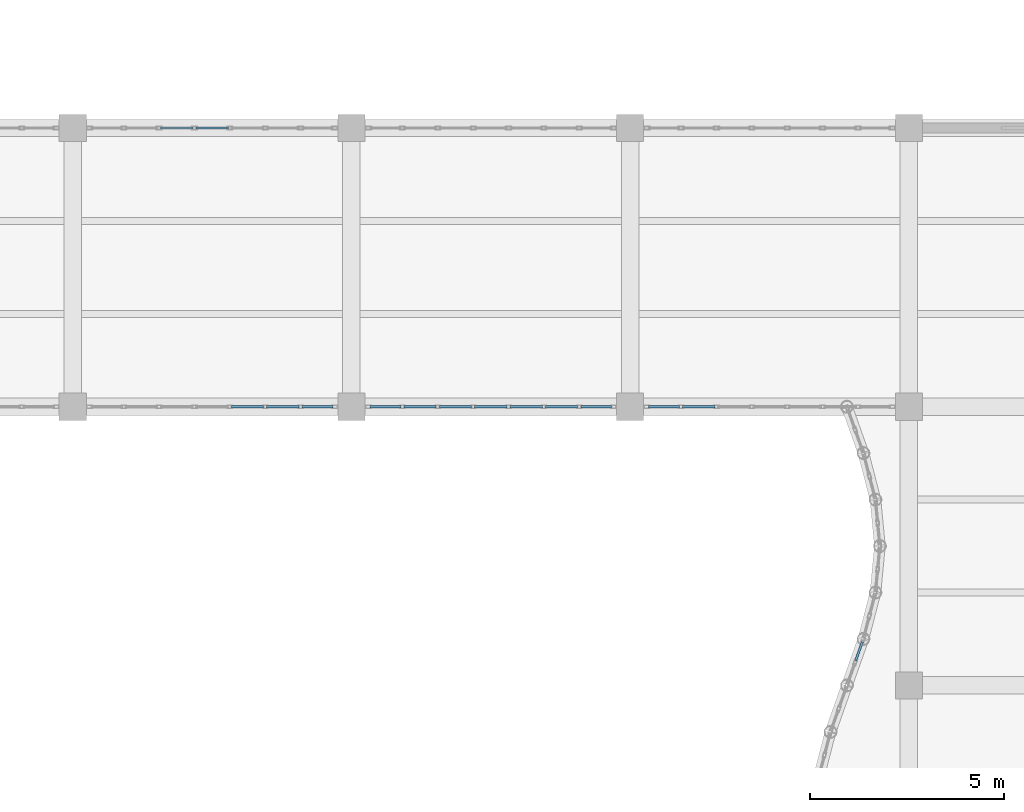
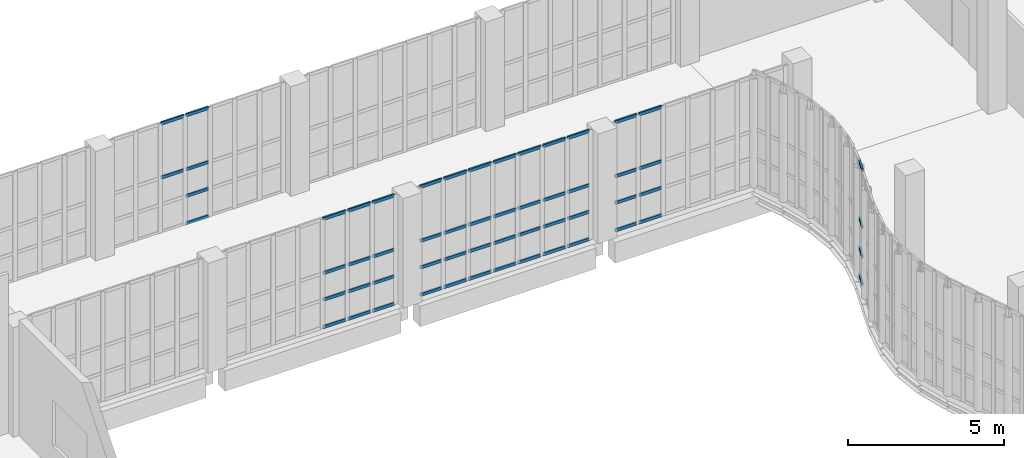
# One storey, part 55 of 108: 58 members, 5 elements without a shape of their own.
"""IFC4 building model written with IfcOpenShell, lengths in metres."""

from ifc_helpers import new_model, si_unit, direction, frame, origin, origin_2d, place, context, subcontext, project, spatial, hollow_rectangle, extrude, material, layer, layer_set, material_profile, profile_set, type_object, element, aggregate, save


model = new_model("IFC4")

# Units and contexts
model_context = context("Model", 3, precision=1e-05, world=origin(), true_north=direction((0.0, 1.0)))
body_context = subcontext(model_context, "Body", "Model", "MODEL_VIEW")
ifc_project = project(units=[si_unit("LENGTHUNIT", "METRE"), si_unit("AREAUNIT", "SQUARE_METRE"), si_unit("VOLUMEUNIT", "CUBIC_METRE"), si_unit("PLANEANGLEUNIT", "RADIAN"), si_unit("MASSUNIT", "GRAM", prefix="KILO"), si_unit("THERMODYNAMICTEMPERATUREUNIT", "KELVIN"), si_unit("POWERUNIT", "WATT")], contexts=[model_context])

# Site, building, storey
site_placement = place(None, origin())
site = spatial("IfcSite", under=ifc_project, at=site_placement, CompositionType="ELEMENT")
building_placement = place(site_placement, origin())
building = spatial("IfcBuilding", under=site, at=building_placement, Name="Kaldorven Railside Theatre", CompositionType="ELEMENT")
storey_placement = place(building_placement, frame((0.0, 0.0, 5.39990234375)))
storey = spatial("IfcBuildingStorey", under=building, at=storey_placement, Name="L01", CompositionType="ELEMENT", Elevation=5.39990234375)

# Curtain wall, members
ifc_material_1 = material(Name="Low-E laminated solar-control glass", Category="glass")
ifc_layer_1 = layer(ifc_material_1, 0.159912109375, Name="Low-E laminated solar-control glass")
ifc_layer_set_1 = layer_set([ifc_layer_1], Name="Low-E laminated solar-control glass")
curtain_wall_type_1 = type_object("IfcCurtainWallType", Name="CWT-01", PredefinedType="USERDEFINED", material=ifc_layer_set_1)
curtain_wall_1_placement = place(storey_placement, origin())
curtain_wall_1 = element("IfcCurtainWall", 1, at=curtain_wall_1_placement, inside=storey, type_object=curtain_wall_type_1, Name="Sinusoidal Fluted Curtain Wall CW-L01-W19", ObjectType="FLUTED GLAZING", PredefinedType="USERDEFINED")
ifc_material_2 = material(Name="Anodised bronze aluminium", Category="aluminium")
ifc_material_profile = material_profile(ifc_material_2, hollow_rectangle(XDim=0.06005859375, YDim=0.1201171875, WallThickness=0.0048828125, at=origin_2d()), Name="RHS 120x60x5")
ifc_profile_set = profile_set([ifc_material_profile], Name="Anodised bronze aluminium")
member_type = type_object("IfcMemberType", Name="CWT-120", PredefinedType="USERDEFINED", material=ifc_profile_set)
member_1_placement = place(storey_placement, frame((71.42578125, 63.03759765625, 0.030029296875), z_axis=(0.334030800363, 0.94256215944, 0.0), x_axis=(-0.94256215944, 0.334030800363, 0.0)))
member_1 = element("IfcMember", 2, at=member_1_placement, type_object=member_type, Name="CW-L01-W19 transom 2.1", ObjectType="TRANSOM", PredefinedType="USERDEFINED", context=body_context, shape_type="SweptSolid", body=[
    extrude(hollow_rectangle(XDim=0.06005859375, YDim=0.1201171875, WallThickness=0.0048828125, at=origin_2d()), origin(), (0.0, 0.0, 1.0), 0.516845703125),
])
member_2_placement = place(storey_placement, frame((71.42578125, 63.03759765625, 1.10009765625), z_axis=(0.334030800363, 0.94256215944, 0.0), x_axis=(-0.94256215944, 0.334030800363, 0.0)))
member_2 = element("IfcMember", 3, at=member_2_placement, type_object=member_type, Name="CW-L01-W19 transom 2.2", ObjectType="TRANSOM", PredefinedType="USERDEFINED", context=body_context, shape_type="SweptSolid", body=[
    extrude(hollow_rectangle(XDim=0.06005859375, YDim=0.1201171875, WallThickness=0.0048828125, at=origin_2d()), origin(), (0.0, 0.0, 1.0), 0.516845703125),
])
member_3_placement = place(storey_placement, frame((71.42578125, 63.03759765625, 2.25), z_axis=(0.334030800363, 0.94256215944, 0.0), x_axis=(-0.94256215944, 0.334030800363, 0.0)))
member_3 = element("IfcMember", 4, at=member_3_placement, type_object=member_type, Name="CW-L01-W19 transom 2.3", ObjectType="TRANSOM", PredefinedType="USERDEFINED", context=body_context, shape_type="SweptSolid", body=[
    extrude(hollow_rectangle(XDim=0.06005859375, YDim=0.1201171875, WallThickness=0.0048828125, at=origin_2d()), origin(), (0.0, 0.0, 1.0), 0.516845703125),
])
member_4_placement = place(storey_placement, frame((71.42578125, 63.03759765625, 4.47021484375), z_axis=(0.334030800363, 0.94256215944, 0.0), x_axis=(-0.94256215944, 0.334030800363, 0.0)))
member_4 = element("IfcMember", 5, at=member_4_placement, type_object=member_type, Name="CW-L01-W19 transom 2.4", ObjectType="TRANSOM", PredefinedType="USERDEFINED", context=body_context, shape_type="SweptSolid", body=[
    extrude(hollow_rectangle(XDim=0.06005859375, YDim=0.1201171875, WallThickness=0.0048828125, at=origin_2d()), origin(), (0.0, 0.0, 1.0), 0.516845703125),
])
aggregate(curtain_wall_1, [member_1, member_2, member_3, member_4])

ifc_layer_2 = layer(ifc_material_1, 0.159912109375, Name="Low-E laminated solar-control glass")
ifc_layer_set_2 = layer_set([ifc_layer_2], Name="Low-E laminated solar-control glass")
curtain_wall_type_2 = type_object("IfcCurtainWallType", Name="CWT-25", PredefinedType="USERDEFINED", material=ifc_layer_set_2)
curtain_wall_2_placement = place(storey_placement, origin())
curtain_wall_2 = element("IfcCurtainWall", 6, at=curtain_wall_2_placement, inside=storey, type_object=curtain_wall_type_2, Name="Sinusoidal Fluted Curtain Wall CW-L01-BS02", ObjectType="FLUTED GLAZING", PredefinedType="USERDEFINED")
member_5_placement = place(storey_placement, frame((55.297119140625, 69.60009765625, 0.030029296875), z_axis=(1.0, 0.0, 0.0), x_axis=(0.0, 1.0, 0.0)))
member_5 = element("IfcMember", 7, at=member_5_placement, type_object=member_type, Name="CW-L01-BS02 transom 5.1", ObjectType="TRANSOM", PredefinedType="USERDEFINED", context=body_context, shape_type="SweptSolid", body=[
    extrude(hollow_rectangle(XDim=0.06005859375, YDim=0.1201171875, WallThickness=0.0048828125, at=origin_2d()), origin(), (0.0, 0.0, 1.0), 0.834228515625),
])
member_6_placement = place(storey_placement, frame((55.297119140625, 69.60009765625, 1.10009765625), z_axis=(1.0, 0.0, 0.0), x_axis=(0.0, 1.0, 0.0)))
member_6 = element("IfcMember", 8, at=member_6_placement, type_object=member_type, Name="CW-L01-BS02 transom 5.2", ObjectType="TRANSOM", PredefinedType="USERDEFINED", context=body_context, shape_type="SweptSolid", body=[
    extrude(hollow_rectangle(XDim=0.06005859375, YDim=0.1201171875, WallThickness=0.0048828125, at=origin_2d()), origin(), (0.0, 0.0, 1.0), 0.834228515625),
])
member_7_placement = place(storey_placement, frame((55.297119140625, 69.60009765625, 2.14013671875), z_axis=(1.0, 0.0, 0.0), x_axis=(0.0, 1.0, 0.0)))
member_7 = element("IfcMember", 9, at=member_7_placement, type_object=member_type, Name="CW-L01-BS02 transom 5.3", ObjectType="TRANSOM", PredefinedType="USERDEFINED", context=body_context, shape_type="SweptSolid", body=[
    extrude(hollow_rectangle(XDim=0.06005859375, YDim=0.1201171875, WallThickness=0.0048828125, at=origin_2d()), origin(), (0.0, 0.0, 1.0), 0.834228515625),
])
member_8_placement = place(storey_placement, frame((55.297119140625, 69.60009765625, 4.25), z_axis=(1.0, 0.0, 0.0), x_axis=(0.0, 1.0, 0.0)))
member_8 = element("IfcMember", 10, at=member_8_placement, type_object=member_type, Name="CW-L01-BS02 transom 5.4", ObjectType="TRANSOM", PredefinedType="USERDEFINED", context=body_context, shape_type="SweptSolid", body=[
    extrude(hollow_rectangle(XDim=0.06005859375, YDim=0.1201171875, WallThickness=0.0048828125, at=origin_2d()), origin(), (0.0, 0.0, 1.0), 0.834228515625),
])
member_9_placement = place(storey_placement, frame((56.21142578125, 69.60009765625, 0.030029296875), z_axis=(1.0, 0.0, 0.0), x_axis=(0.0, 1.0, 0.0)))
member_9 = element("IfcMember", 11, at=member_9_placement, type_object=member_type, Name="CW-L01-BS02 transom 6.1", ObjectType="TRANSOM", PredefinedType="USERDEFINED", context=body_context, shape_type="SweptSolid", body=[
    extrude(hollow_rectangle(XDim=0.06005859375, YDim=0.1201171875, WallThickness=0.0048828125, at=origin_2d()), origin(), (0.0, 0.0, 1.0), 0.834228515625),
])
member_10_placement = place(storey_placement, frame((56.21142578125, 69.60009765625, 1.10009765625), z_axis=(1.0, 0.0, 0.0), x_axis=(0.0, 1.0, 0.0)))
member_10 = element("IfcMember", 12, at=member_10_placement, type_object=member_type, Name="CW-L01-BS02 transom 6.2", ObjectType="TRANSOM", PredefinedType="USERDEFINED", context=body_context, shape_type="SweptSolid", body=[
    extrude(hollow_rectangle(XDim=0.06005859375, YDim=0.1201171875, WallThickness=0.0048828125, at=origin_2d()), origin(), (0.0, 0.0, 1.0), 0.834228515625),
])
member_11_placement = place(storey_placement, frame((56.21142578125, 69.60009765625, 2.14013671875), z_axis=(1.0, 0.0, 0.0), x_axis=(0.0, 1.0, 0.0)))
member_11 = element("IfcMember", 13, at=member_11_placement, type_object=member_type, Name="CW-L01-BS02 transom 6.3", ObjectType="TRANSOM", PredefinedType="USERDEFINED", context=body_context, shape_type="SweptSolid", body=[
    extrude(hollow_rectangle(XDim=0.06005859375, YDim=0.1201171875, WallThickness=0.0048828125, at=origin_2d()), origin(), (0.0, 0.0, 1.0), 0.834228515625),
])
member_12_placement = place(storey_placement, frame((56.21142578125, 69.60009765625, 4.25), z_axis=(1.0, 0.0, 0.0), x_axis=(0.0, 1.0, 0.0)))
member_12 = element("IfcMember", 14, at=member_12_placement, type_object=member_type, Name="CW-L01-BS02 transom 6.4", ObjectType="TRANSOM", PredefinedType="USERDEFINED", context=body_context, shape_type="SweptSolid", body=[
    extrude(hollow_rectangle(XDim=0.06005859375, YDim=0.1201171875, WallThickness=0.0048828125, at=origin_2d()), origin(), (0.0, 0.0, 1.0), 0.834228515625),
])
member_13_placement = place(storey_placement, frame((57.125732421875, 69.60009765625, 0.030029296875), z_axis=(1.0, 0.0, 0.0), x_axis=(0.0, 1.0, 0.0)))
member_13 = element("IfcMember", 15, at=member_13_placement, type_object=member_type, Name="CW-L01-BS02 transom 7.1", ObjectType="TRANSOM", PredefinedType="USERDEFINED", context=body_context, shape_type="SweptSolid", body=[
    extrude(hollow_rectangle(XDim=0.06005859375, YDim=0.1201171875, WallThickness=0.0048828125, at=origin_2d()), origin(), (0.0, 0.0, 1.0), 0.794189453125),
])
member_14_placement = place(storey_placement, frame((57.125732421875, 69.60009765625, 1.10009765625), z_axis=(1.0, 0.0, 0.0), x_axis=(0.0, 1.0, 0.0)))
member_14 = element("IfcMember", 16, at=member_14_placement, type_object=member_type, Name="CW-L01-BS02 transom 7.2", ObjectType="TRANSOM", PredefinedType="USERDEFINED", context=body_context, shape_type="SweptSolid", body=[
    extrude(hollow_rectangle(XDim=0.06005859375, YDim=0.1201171875, WallThickness=0.0048828125, at=origin_2d()), origin(), (0.0, 0.0, 1.0), 0.794189453125),
])
member_15_placement = place(storey_placement, frame((57.125732421875, 69.60009765625, 2.14013671875), z_axis=(1.0, 0.0, 0.0), x_axis=(0.0, 1.0, 0.0)))
member_15 = element("IfcMember", 17, at=member_15_placement, type_object=member_type, Name="CW-L01-BS02 transom 7.3", ObjectType="TRANSOM", PredefinedType="USERDEFINED", context=body_context, shape_type="SweptSolid", body=[
    extrude(hollow_rectangle(XDim=0.06005859375, YDim=0.1201171875, WallThickness=0.0048828125, at=origin_2d()), origin(), (0.0, 0.0, 1.0), 0.794189453125),
])
member_16_placement = place(storey_placement, frame((57.125732421875, 69.60009765625, 4.25), z_axis=(1.0, 0.0, 0.0), x_axis=(0.0, 1.0, 0.0)))
member_16 = element("IfcMember", 18, at=member_16_placement, type_object=member_type, Name="CW-L01-BS02 transom 7.4", ObjectType="TRANSOM", PredefinedType="USERDEFINED", context=body_context, shape_type="SweptSolid", body=[
    extrude(hollow_rectangle(XDim=0.06005859375, YDim=0.1201171875, WallThickness=0.0048828125, at=origin_2d()), origin(), (0.0, 0.0, 1.0), 0.794189453125),
])
aggregate(curtain_wall_2, [member_5, member_6, member_7, member_8, member_9, member_10, member_11, member_12, member_13, member_14, member_15, member_16])

curtain_wall_3_placement = place(storey_placement, origin())
curtain_wall_3 = element("IfcCurtainWall", 19, at=curtain_wall_3_placement, inside=storey, type_object=curtain_wall_type_2, Name="Sinusoidal Fluted Curtain Wall CW-L01-BN02", ObjectType="FLUTED GLAZING", PredefinedType="USERDEFINED")
member_17_placement = place(storey_placement, frame((53.468505859375, 76.800048828125, 2.14013671875), z_axis=(1.0, 0.0, 0.0), x_axis=(0.0, 1.0, 0.0)))
member_17 = element("IfcMember", 20, at=member_17_placement, type_object=member_type, Name="CW-L01-BN02 transom 3.3", ObjectType="TRANSOM", PredefinedType="USERDEFINED", context=body_context, shape_type="SweptSolid", body=[
    extrude(hollow_rectangle(XDim=0.06005859375, YDim=0.1201171875, WallThickness=0.0048828125, at=origin_2d()), origin(), (0.0, 0.0, 1.0), 0.83447265625),
])
member_18_placement = place(storey_placement, frame((53.468505859375, 76.800048828125, 4.25), z_axis=(1.0, 0.0, 0.0), x_axis=(0.0, 1.0, 0.0)))
member_18 = element("IfcMember", 21, at=member_18_placement, type_object=member_type, Name="CW-L01-BN02 transom 3.4", ObjectType="TRANSOM", PredefinedType="USERDEFINED", context=body_context, shape_type="SweptSolid", body=[
    extrude(hollow_rectangle(XDim=0.06005859375, YDim=0.1201171875, WallThickness=0.0048828125, at=origin_2d()), origin(), (0.0, 0.0, 1.0), 0.83447265625),
])
member_19_placement = place(storey_placement, frame((54.3828125, 76.800048828125, 0.030029296875), z_axis=(1.0, 0.0, 0.0), x_axis=(0.0, 1.0, 0.0)))
member_19 = element("IfcMember", 22, at=member_19_placement, type_object=member_type, Name="CW-L01-BN02 transom 4.1", ObjectType="TRANSOM", PredefinedType="USERDEFINED", context=body_context, shape_type="SweptSolid", body=[
    extrude(hollow_rectangle(XDim=0.06005859375, YDim=0.1201171875, WallThickness=0.0048828125, at=origin_2d()), origin(), (0.0, 0.0, 1.0), 0.834228515625),
])
member_20_placement = place(storey_placement, frame((54.3828125, 76.800048828125, 1.10009765625), z_axis=(1.0, 0.0, 0.0), x_axis=(0.0, 1.0, 0.0)))
member_20 = element("IfcMember", 23, at=member_20_placement, type_object=member_type, Name="CW-L01-BN02 transom 4.2", ObjectType="TRANSOM", PredefinedType="USERDEFINED", context=body_context, shape_type="SweptSolid", body=[
    extrude(hollow_rectangle(XDim=0.06005859375, YDim=0.1201171875, WallThickness=0.0048828125, at=origin_2d()), origin(), (0.0, 0.0, 1.0), 0.834228515625),
])
member_21_placement = place(storey_placement, frame((54.3828125, 76.800048828125, 2.14013671875), z_axis=(1.0, 0.0, 0.0), x_axis=(0.0, 1.0, 0.0)))
member_21 = element("IfcMember", 24, at=member_21_placement, type_object=member_type, Name="CW-L01-BN02 transom 4.3", ObjectType="TRANSOM", PredefinedType="USERDEFINED", context=body_context, shape_type="SweptSolid", body=[
    extrude(hollow_rectangle(XDim=0.06005859375, YDim=0.1201171875, WallThickness=0.0048828125, at=origin_2d()), origin(), (0.0, 0.0, 1.0), 0.834228515625),
])
member_22_placement = place(storey_placement, frame((54.3828125, 76.800048828125, 4.25), z_axis=(1.0, 0.0, 0.0), x_axis=(0.0, 1.0, 0.0)))
member_22 = element("IfcMember", 25, at=member_22_placement, type_object=member_type, Name="CW-L01-BN02 transom 4.4", ObjectType="TRANSOM", PredefinedType="USERDEFINED", context=body_context, shape_type="SweptSolid", body=[
    extrude(hollow_rectangle(XDim=0.06005859375, YDim=0.1201171875, WallThickness=0.0048828125, at=origin_2d()), origin(), (0.0, 0.0, 1.0), 0.834228515625),
])
aggregate(curtain_wall_3, [member_17, member_18, member_19, member_20, member_21, member_22])

curtain_wall_4_placement = place(storey_placement, origin())
curtain_wall_4 = element("IfcCurtainWall", 26, at=curtain_wall_4_placement, inside=storey, type_object=curtain_wall_type_2, Name="Sinusoidal Fluted Curtain Wall CW-L01-BS03", ObjectType="FLUTED GLAZING", PredefinedType="USERDEFINED")
member_23_placement = place(storey_placement, frame((58.8798828125, 69.60009765625, 0.030029296875), z_axis=(1.0, 0.0, 0.0), x_axis=(0.0, 1.0, 0.0)))
member_23 = element("IfcMember", 27, at=member_23_placement, type_object=member_type, Name="CW-L01-BS03 transom 1.1", ObjectType="TRANSOM", PredefinedType="USERDEFINED", context=body_context, shape_type="SweptSolid", body=[
    extrude(hollow_rectangle(XDim=0.06005859375, YDim=0.1201171875, WallThickness=0.0048828125, at=origin_2d()), origin(), (0.0, 0.0, 1.0), 0.79443359375),
])
member_24_placement = place(storey_placement, frame((58.8798828125, 69.60009765625, 1.10009765625), z_axis=(1.0, 0.0, 0.0), x_axis=(0.0, 1.0, 0.0)))
member_24 = element("IfcMember", 28, at=member_24_placement, type_object=member_type, Name="CW-L01-BS03 transom 1.2", ObjectType="TRANSOM", PredefinedType="USERDEFINED", context=body_context, shape_type="SweptSolid", body=[
    extrude(hollow_rectangle(XDim=0.06005859375, YDim=0.1201171875, WallThickness=0.0048828125, at=origin_2d()), origin(), (0.0, 0.0, 1.0), 0.79443359375),
])
member_25_placement = place(storey_placement, frame((58.8798828125, 69.60009765625, 2.14013671875), z_axis=(1.0, 0.0, 0.0), x_axis=(0.0, 1.0, 0.0)))
member_25 = element("IfcMember", 29, at=member_25_placement, type_object=member_type, Name="CW-L01-BS03 transom 1.3", ObjectType="TRANSOM", PredefinedType="USERDEFINED", context=body_context, shape_type="SweptSolid", body=[
    extrude(hollow_rectangle(XDim=0.06005859375, YDim=0.1201171875, WallThickness=0.0048828125, at=origin_2d()), origin(), (0.0, 0.0, 1.0), 0.79443359375),
])
member_26_placement = place(storey_placement, frame((58.8798828125, 69.60009765625, 4.25), z_axis=(1.0, 0.0, 0.0), x_axis=(0.0, 1.0, 0.0)))
member_26 = element("IfcMember", 30, at=member_26_placement, type_object=member_type, Name="CW-L01-BS03 transom 1.4", ObjectType="TRANSOM", PredefinedType="USERDEFINED", context=body_context, shape_type="SweptSolid", body=[
    extrude(hollow_rectangle(XDim=0.06005859375, YDim=0.1201171875, WallThickness=0.0048828125, at=origin_2d()), origin(), (0.0, 0.0, 1.0), 0.79443359375),
])
member_27_placement = place(storey_placement, frame((59.75439453125, 69.60009765625, 0.030029296875), z_axis=(1.0, 0.0, 0.0), x_axis=(0.0, 1.0, 0.0)))
member_27 = element("IfcMember", 31, at=member_27_placement, type_object=member_type, Name="CW-L01-BS03 transom 2.1", ObjectType="TRANSOM", PredefinedType="USERDEFINED", context=body_context, shape_type="SweptSolid", body=[
    extrude(hollow_rectangle(XDim=0.06005859375, YDim=0.1201171875, WallThickness=0.0048828125, at=origin_2d()), origin(), (0.0, 0.0, 1.0), 0.834228515625),
])
member_28_placement = place(storey_placement, frame((59.75439453125, 69.60009765625, 1.10009765625), z_axis=(1.0, 0.0, 0.0), x_axis=(0.0, 1.0, 0.0)))
member_28 = element("IfcMember", 32, at=member_28_placement, type_object=member_type, Name="CW-L01-BS03 transom 2.2", ObjectType="TRANSOM", PredefinedType="USERDEFINED", context=body_context, shape_type="SweptSolid", body=[
    extrude(hollow_rectangle(XDim=0.06005859375, YDim=0.1201171875, WallThickness=0.0048828125, at=origin_2d()), origin(), (0.0, 0.0, 1.0), 0.834228515625),
])
member_29_placement = place(storey_placement, frame((59.75439453125, 69.60009765625, 2.14013671875), z_axis=(1.0, 0.0, 0.0), x_axis=(0.0, 1.0, 0.0)))
member_29 = element("IfcMember", 33, at=member_29_placement, type_object=member_type, Name="CW-L01-BS03 transom 2.3", ObjectType="TRANSOM", PredefinedType="USERDEFINED", context=body_context, shape_type="SweptSolid", body=[
    extrude(hollow_rectangle(XDim=0.06005859375, YDim=0.1201171875, WallThickness=0.0048828125, at=origin_2d()), origin(), (0.0, 0.0, 1.0), 0.834228515625),
])
member_30_placement = place(storey_placement, frame((59.75439453125, 69.60009765625, 4.25), z_axis=(1.0, 0.0, 0.0), x_axis=(0.0, 1.0, 0.0)))
member_30 = element("IfcMember", 34, at=member_30_placement, type_object=member_type, Name="CW-L01-BS03 transom 2.4", ObjectType="TRANSOM", PredefinedType="USERDEFINED", context=body_context, shape_type="SweptSolid", body=[
    extrude(hollow_rectangle(XDim=0.06005859375, YDim=0.1201171875, WallThickness=0.0048828125, at=origin_2d()), origin(), (0.0, 0.0, 1.0), 0.834228515625),
])
member_31_placement = place(storey_placement, frame((60.66845703125, 69.60009765625, 0.030029296875), z_axis=(1.0, 0.0, 0.0), x_axis=(0.0, 1.0, 0.0)))
member_31 = element("IfcMember", 35, at=member_31_placement, type_object=member_type, Name="CW-L01-BS03 transom 3.1", ObjectType="TRANSOM", PredefinedType="USERDEFINED", context=body_context, shape_type="SweptSolid", body=[
    extrude(hollow_rectangle(XDim=0.06005859375, YDim=0.1201171875, WallThickness=0.0048828125, at=origin_2d()), origin(), (0.0, 0.0, 1.0), 0.83447265625),
])
member_32_placement = place(storey_placement, frame((60.66845703125, 69.60009765625, 1.10009765625), z_axis=(1.0, 0.0, 0.0), x_axis=(0.0, 1.0, 0.0)))
member_32 = element("IfcMember", 36, at=member_32_placement, type_object=member_type, Name="CW-L01-BS03 transom 3.2", ObjectType="TRANSOM", PredefinedType="USERDEFINED", context=body_context, shape_type="SweptSolid", body=[
    extrude(hollow_rectangle(XDim=0.06005859375, YDim=0.1201171875, WallThickness=0.0048828125, at=origin_2d()), origin(), (0.0, 0.0, 1.0), 0.83447265625),
])
member_33_placement = place(storey_placement, frame((60.66845703125, 69.60009765625, 2.14013671875), z_axis=(1.0, 0.0, 0.0), x_axis=(0.0, 1.0, 0.0)))
member_33 = element("IfcMember", 37, at=member_33_placement, type_object=member_type, Name="CW-L01-BS03 transom 3.3", ObjectType="TRANSOM", PredefinedType="USERDEFINED", context=body_context, shape_type="SweptSolid", body=[
    extrude(hollow_rectangle(XDim=0.06005859375, YDim=0.1201171875, WallThickness=0.0048828125, at=origin_2d()), origin(), (0.0, 0.0, 1.0), 0.83447265625),
])
member_34_placement = place(storey_placement, frame((60.66845703125, 69.60009765625, 4.25), z_axis=(1.0, 0.0, 0.0), x_axis=(0.0, 1.0, 0.0)))
member_34 = element("IfcMember", 38, at=member_34_placement, type_object=member_type, Name="CW-L01-BS03 transom 3.4", ObjectType="TRANSOM", PredefinedType="USERDEFINED", context=body_context, shape_type="SweptSolid", body=[
    extrude(hollow_rectangle(XDim=0.06005859375, YDim=0.1201171875, WallThickness=0.0048828125, at=origin_2d()), origin(), (0.0, 0.0, 1.0), 0.83447265625),
])
member_35_placement = place(storey_placement, frame((61.582763671875, 69.60009765625, 0.030029296875), z_axis=(1.0, 0.0, 0.0), x_axis=(0.0, 1.0, 0.0)))
member_35 = element("IfcMember", 39, at=member_35_placement, type_object=member_type, Name="CW-L01-BS03 transom 4.1", ObjectType="TRANSOM", PredefinedType="USERDEFINED", context=body_context, shape_type="SweptSolid", body=[
    extrude(hollow_rectangle(XDim=0.06005859375, YDim=0.1201171875, WallThickness=0.0048828125, at=origin_2d()), origin(), (0.0, 0.0, 1.0), 0.83447265625),
])
member_36_placement = place(storey_placement, frame((61.582763671875, 69.60009765625, 1.10009765625), z_axis=(1.0, 0.0, 0.0), x_axis=(0.0, 1.0, 0.0)))
member_36 = element("IfcMember", 40, at=member_36_placement, type_object=member_type, Name="CW-L01-BS03 transom 4.2", ObjectType="TRANSOM", PredefinedType="USERDEFINED", context=body_context, shape_type="SweptSolid", body=[
    extrude(hollow_rectangle(XDim=0.06005859375, YDim=0.1201171875, WallThickness=0.0048828125, at=origin_2d()), origin(), (0.0, 0.0, 1.0), 0.83447265625),
])
member_37_placement = place(storey_placement, frame((61.582763671875, 69.60009765625, 2.14013671875), z_axis=(1.0, 0.0, 0.0), x_axis=(0.0, 1.0, 0.0)))
member_37 = element("IfcMember", 41, at=member_37_placement, type_object=member_type, Name="CW-L01-BS03 transom 4.3", ObjectType="TRANSOM", PredefinedType="USERDEFINED", context=body_context, shape_type="SweptSolid", body=[
    extrude(hollow_rectangle(XDim=0.06005859375, YDim=0.1201171875, WallThickness=0.0048828125, at=origin_2d()), origin(), (0.0, 0.0, 1.0), 0.83447265625),
])
member_38_placement = place(storey_placement, frame((61.582763671875, 69.60009765625, 4.25), z_axis=(1.0, 0.0, 0.0), x_axis=(0.0, 1.0, 0.0)))
member_38 = element("IfcMember", 42, at=member_38_placement, type_object=member_type, Name="CW-L01-BS03 transom 4.4", ObjectType="TRANSOM", PredefinedType="USERDEFINED", context=body_context, shape_type="SweptSolid", body=[
    extrude(hollow_rectangle(XDim=0.06005859375, YDim=0.1201171875, WallThickness=0.0048828125, at=origin_2d()), origin(), (0.0, 0.0, 1.0), 0.83447265625),
])
member_39_placement = place(storey_placement, frame((62.4970703125, 69.60009765625, 0.030029296875), z_axis=(1.0, 0.0, 0.0), x_axis=(0.0, 1.0, 0.0)))
member_39 = element("IfcMember", 43, at=member_39_placement, type_object=member_type, Name="CW-L01-BS03 transom 5.1", ObjectType="TRANSOM", PredefinedType="USERDEFINED", context=body_context, shape_type="SweptSolid", body=[
    extrude(hollow_rectangle(XDim=0.06005859375, YDim=0.1201171875, WallThickness=0.0048828125, at=origin_2d()), origin(), (0.0, 0.0, 1.0), 0.83447265625),
])
member_40_placement = place(storey_placement, frame((62.4970703125, 69.60009765625, 1.10009765625), z_axis=(1.0, 0.0, 0.0), x_axis=(0.0, 1.0, 0.0)))
member_40 = element("IfcMember", 44, at=member_40_placement, type_object=member_type, Name="CW-L01-BS03 transom 5.2", ObjectType="TRANSOM", PredefinedType="USERDEFINED", context=body_context, shape_type="SweptSolid", body=[
    extrude(hollow_rectangle(XDim=0.06005859375, YDim=0.1201171875, WallThickness=0.0048828125, at=origin_2d()), origin(), (0.0, 0.0, 1.0), 0.83447265625),
])
member_41_placement = place(storey_placement, frame((62.4970703125, 69.60009765625, 2.14013671875), z_axis=(1.0, 0.0, 0.0), x_axis=(0.0, 1.0, 0.0)))
member_41 = element("IfcMember", 45, at=member_41_placement, type_object=member_type, Name="CW-L01-BS03 transom 5.3", ObjectType="TRANSOM", PredefinedType="USERDEFINED", context=body_context, shape_type="SweptSolid", body=[
    extrude(hollow_rectangle(XDim=0.06005859375, YDim=0.1201171875, WallThickness=0.0048828125, at=origin_2d()), origin(), (0.0, 0.0, 1.0), 0.83447265625),
])
member_42_placement = place(storey_placement, frame((62.4970703125, 69.60009765625, 4.25), z_axis=(1.0, 0.0, 0.0), x_axis=(0.0, 1.0, 0.0)))
member_42 = element("IfcMember", 46, at=member_42_placement, type_object=member_type, Name="CW-L01-BS03 transom 5.4", ObjectType="TRANSOM", PredefinedType="USERDEFINED", context=body_context, shape_type="SweptSolid", body=[
    extrude(hollow_rectangle(XDim=0.06005859375, YDim=0.1201171875, WallThickness=0.0048828125, at=origin_2d()), origin(), (0.0, 0.0, 1.0), 0.83447265625),
])
member_43_placement = place(storey_placement, frame((63.411376953125, 69.60009765625, 0.030029296875), z_axis=(1.0, 0.0, 0.0), x_axis=(0.0, 1.0, 0.0)))
member_43 = element("IfcMember", 47, at=member_43_placement, type_object=member_type, Name="CW-L01-BS03 transom 6.1", ObjectType="TRANSOM", PredefinedType="USERDEFINED", context=body_context, shape_type="SweptSolid", body=[
    extrude(hollow_rectangle(XDim=0.06005859375, YDim=0.1201171875, WallThickness=0.0048828125, at=origin_2d()), origin(), (0.0, 0.0, 1.0), 0.834228515625),
])
member_44_placement = place(storey_placement, frame((63.411376953125, 69.60009765625, 1.10009765625), z_axis=(1.0, 0.0, 0.0), x_axis=(0.0, 1.0, 0.0)))
member_44 = element("IfcMember", 48, at=member_44_placement, type_object=member_type, Name="CW-L01-BS03 transom 6.2", ObjectType="TRANSOM", PredefinedType="USERDEFINED", context=body_context, shape_type="SweptSolid", body=[
    extrude(hollow_rectangle(XDim=0.06005859375, YDim=0.1201171875, WallThickness=0.0048828125, at=origin_2d()), origin(), (0.0, 0.0, 1.0), 0.834228515625),
])
member_45_placement = place(storey_placement, frame((63.411376953125, 69.60009765625, 2.14013671875), z_axis=(1.0, 0.0, 0.0), x_axis=(0.0, 1.0, 0.0)))
member_45 = element("IfcMember", 49, at=member_45_placement, type_object=member_type, Name="CW-L01-BS03 transom 6.3", ObjectType="TRANSOM", PredefinedType="USERDEFINED", context=body_context, shape_type="SweptSolid", body=[
    extrude(hollow_rectangle(XDim=0.06005859375, YDim=0.1201171875, WallThickness=0.0048828125, at=origin_2d()), origin(), (0.0, 0.0, 1.0), 0.834228515625),
])
member_46_placement = place(storey_placement, frame((63.411376953125, 69.60009765625, 4.25), z_axis=(1.0, 0.0, 0.0), x_axis=(0.0, 1.0, 0.0)))
member_46 = element("IfcMember", 50, at=member_46_placement, type_object=member_type, Name="CW-L01-BS03 transom 6.4", ObjectType="TRANSOM", PredefinedType="USERDEFINED", context=body_context, shape_type="SweptSolid", body=[
    extrude(hollow_rectangle(XDim=0.06005859375, YDim=0.1201171875, WallThickness=0.0048828125, at=origin_2d()), origin(), (0.0, 0.0, 1.0), 0.834228515625),
])
member_47_placement = place(storey_placement, frame((64.32568359375, 69.60009765625, 0.030029296875), z_axis=(1.0, 0.0, 0.0), x_axis=(0.0, 1.0, 0.0)))
member_47 = element("IfcMember", 51, at=member_47_placement, type_object=member_type, Name="CW-L01-BS03 transom 7.1", ObjectType="TRANSOM", PredefinedType="USERDEFINED", context=body_context, shape_type="SweptSolid", body=[
    extrude(hollow_rectangle(XDim=0.06005859375, YDim=0.1201171875, WallThickness=0.0048828125, at=origin_2d()), origin(), (0.0, 0.0, 1.0), 0.79443359375),
])
member_48_placement = place(storey_placement, frame((64.32568359375, 69.60009765625, 1.10009765625), z_axis=(1.0, 0.0, 0.0), x_axis=(0.0, 1.0, 0.0)))
member_48 = element("IfcMember", 52, at=member_48_placement, type_object=member_type, Name="CW-L01-BS03 transom 7.2", ObjectType="TRANSOM", PredefinedType="USERDEFINED", context=body_context, shape_type="SweptSolid", body=[
    extrude(hollow_rectangle(XDim=0.06005859375, YDim=0.1201171875, WallThickness=0.0048828125, at=origin_2d()), origin(), (0.0, 0.0, 1.0), 0.79443359375),
])
member_49_placement = place(storey_placement, frame((64.32568359375, 69.60009765625, 2.14013671875), z_axis=(1.0, 0.0, 0.0), x_axis=(0.0, 1.0, 0.0)))
member_49 = element("IfcMember", 53, at=member_49_placement, type_object=member_type, Name="CW-L01-BS03 transom 7.3", ObjectType="TRANSOM", PredefinedType="USERDEFINED", context=body_context, shape_type="SweptSolid", body=[
    extrude(hollow_rectangle(XDim=0.06005859375, YDim=0.1201171875, WallThickness=0.0048828125, at=origin_2d()), origin(), (0.0, 0.0, 1.0), 0.79443359375),
])
member_50_placement = place(storey_placement, frame((64.32568359375, 69.60009765625, 4.25), z_axis=(1.0, 0.0, 0.0), x_axis=(0.0, 1.0, 0.0)))
member_50 = element("IfcMember", 54, at=member_50_placement, type_object=member_type, Name="CW-L01-BS03 transom 7.4", ObjectType="TRANSOM", PredefinedType="USERDEFINED", context=body_context, shape_type="SweptSolid", body=[
    extrude(hollow_rectangle(XDim=0.06005859375, YDim=0.1201171875, WallThickness=0.0048828125, at=origin_2d()), origin(), (0.0, 0.0, 1.0), 0.79443359375),
])
aggregate(curtain_wall_4, [member_23, member_24, member_25, member_26, member_27, member_28, member_29, member_30, member_31, member_32, member_33, member_34, member_35, member_36, member_37, member_38, member_39, member_40, member_41, member_42, member_43, member_44, member_45, member_46, member_47, member_48, member_49, member_50])

curtain_wall_5_placement = place(storey_placement, origin())
curtain_wall_5 = element("IfcCurtainWall", 55, at=curtain_wall_5_placement, inside=storey, type_object=curtain_wall_type_2, Name="Sinusoidal Fluted Curtain Wall CW-L01-BS04", ObjectType="FLUTED GLAZING", PredefinedType="USERDEFINED")
member_51_placement = place(storey_placement, frame((66.080078125, 69.60009765625, 0.030029296875), z_axis=(1.0, 0.0, 0.0), x_axis=(0.0, 1.0, 0.0)))
member_51 = element("IfcMember", 56, at=member_51_placement, type_object=member_type, Name="CW-L01-BS04 transom 1.1", ObjectType="TRANSOM", PredefinedType="USERDEFINED", context=body_context, shape_type="SweptSolid", body=[
    extrude(hollow_rectangle(XDim=0.06005859375, YDim=0.1201171875, WallThickness=0.0048828125, at=origin_2d()), origin(), (0.0, 0.0, 1.0), 0.794189453125),
])
member_52_placement = place(storey_placement, frame((66.080078125, 69.60009765625, 1.10009765625), z_axis=(1.0, 0.0, 0.0), x_axis=(0.0, 1.0, 0.0)))
member_52 = element("IfcMember", 57, at=member_52_placement, type_object=member_type, Name="CW-L01-BS04 transom 1.2", ObjectType="TRANSOM", PredefinedType="USERDEFINED", context=body_context, shape_type="SweptSolid", body=[
    extrude(hollow_rectangle(XDim=0.06005859375, YDim=0.1201171875, WallThickness=0.0048828125, at=origin_2d()), origin(), (0.0, 0.0, 1.0), 0.794189453125),
])
member_53_placement = place(storey_placement, frame((66.080078125, 69.60009765625, 2.14013671875), z_axis=(1.0, 0.0, 0.0), x_axis=(0.0, 1.0, 0.0)))
member_53 = element("IfcMember", 58, at=member_53_placement, type_object=member_type, Name="CW-L01-BS04 transom 1.3", ObjectType="TRANSOM", PredefinedType="USERDEFINED", context=body_context, shape_type="SweptSolid", body=[
    extrude(hollow_rectangle(XDim=0.06005859375, YDim=0.1201171875, WallThickness=0.0048828125, at=origin_2d()), origin(), (0.0, 0.0, 1.0), 0.794189453125),
])
member_54_placement = place(storey_placement, frame((66.080078125, 69.60009765625, 4.25), z_axis=(1.0, 0.0, 0.0), x_axis=(0.0, 1.0, 0.0)))
member_54 = element("IfcMember", 59, at=member_54_placement, type_object=member_type, Name="CW-L01-BS04 transom 1.4", ObjectType="TRANSOM", PredefinedType="USERDEFINED", context=body_context, shape_type="SweptSolid", body=[
    extrude(hollow_rectangle(XDim=0.06005859375, YDim=0.1201171875, WallThickness=0.0048828125, at=origin_2d()), origin(), (0.0, 0.0, 1.0), 0.794189453125),
])
member_55_placement = place(storey_placement, frame((66.954345703125, 69.60009765625, 0.030029296875), z_axis=(1.0, 0.0, 0.0), x_axis=(0.0, 1.0, 0.0)))
member_55 = element("IfcMember", 60, at=member_55_placement, type_object=member_type, Name="CW-L01-BS04 transom 2.1", ObjectType="TRANSOM", PredefinedType="USERDEFINED", context=body_context, shape_type="SweptSolid", body=[
    extrude(hollow_rectangle(XDim=0.06005859375, YDim=0.1201171875, WallThickness=0.0048828125, at=origin_2d()), origin(), (0.0, 0.0, 1.0), 0.834228515625),
])
member_56_placement = place(storey_placement, frame((66.954345703125, 69.60009765625, 1.10009765625), z_axis=(1.0, 0.0, 0.0), x_axis=(0.0, 1.0, 0.0)))
member_56 = element("IfcMember", 61, at=member_56_placement, type_object=member_type, Name="CW-L01-BS04 transom 2.2", ObjectType="TRANSOM", PredefinedType="USERDEFINED", context=body_context, shape_type="SweptSolid", body=[
    extrude(hollow_rectangle(XDim=0.06005859375, YDim=0.1201171875, WallThickness=0.0048828125, at=origin_2d()), origin(), (0.0, 0.0, 1.0), 0.834228515625),
])
member_57_placement = place(storey_placement, frame((66.954345703125, 69.60009765625, 2.14013671875), z_axis=(1.0, 0.0, 0.0), x_axis=(0.0, 1.0, 0.0)))
member_57 = element("IfcMember", 62, at=member_57_placement, type_object=member_type, Name="CW-L01-BS04 transom 2.3", ObjectType="TRANSOM", PredefinedType="USERDEFINED", context=body_context, shape_type="SweptSolid", body=[
    extrude(hollow_rectangle(XDim=0.06005859375, YDim=0.1201171875, WallThickness=0.0048828125, at=origin_2d()), origin(), (0.0, 0.0, 1.0), 0.834228515625),
])
member_58_placement = place(storey_placement, frame((66.954345703125, 69.60009765625, 4.25), z_axis=(1.0, 0.0, 0.0), x_axis=(0.0, 1.0, 0.0)))
member_58 = element("IfcMember", 63, at=member_58_placement, type_object=member_type, Name="CW-L01-BS04 transom 2.4", ObjectType="TRANSOM", PredefinedType="USERDEFINED", context=body_context, shape_type="SweptSolid", body=[
    extrude(hollow_rectangle(XDim=0.06005859375, YDim=0.1201171875, WallThickness=0.0048828125, at=origin_2d()), origin(), (0.0, 0.0, 1.0), 0.834228515625),
])
aggregate(curtain_wall_5, [member_51, member_52, member_53, member_54, member_55, member_56, member_57, member_58])

save(model, "model.ifc")
